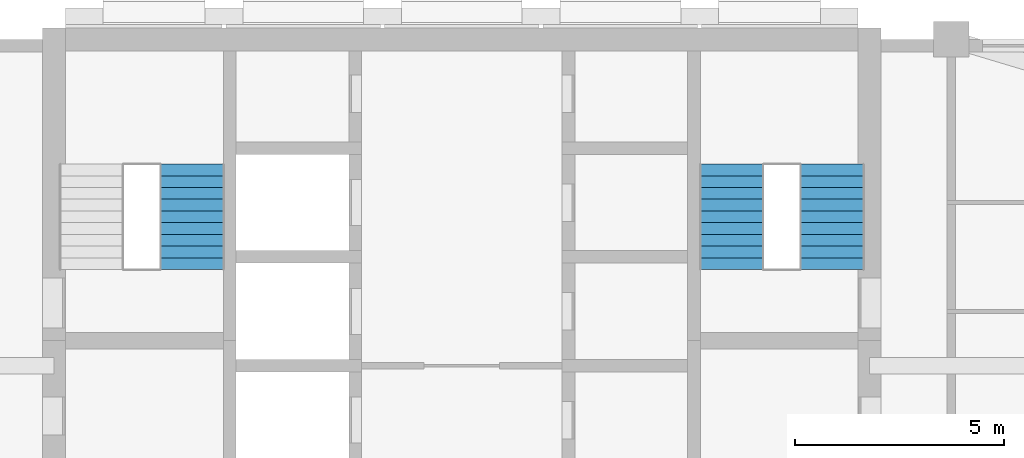
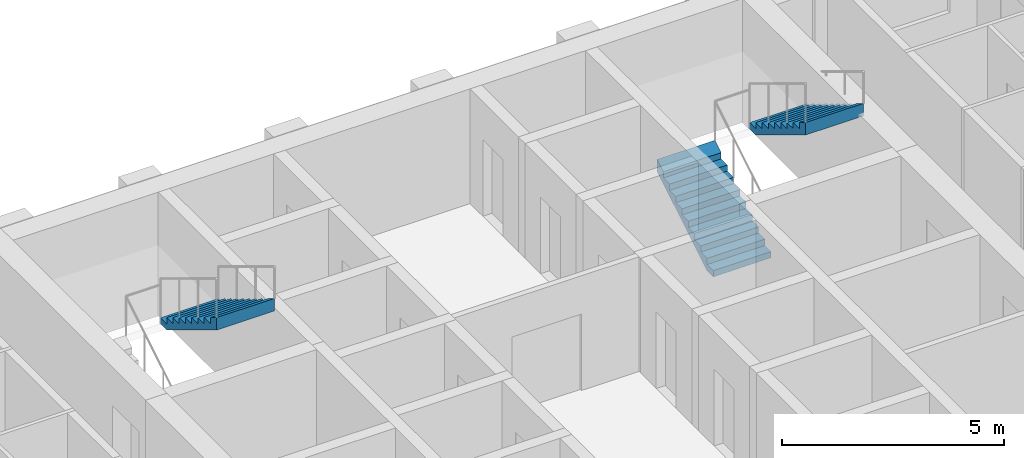
# One storey, part 11 of 13: 3 stair flights, 2 elements without a shape of their own.
"""IFC4 building model written with IfcOpenShell, lengths in metres."""

from ifc_helpers import new_model, si_unit, direction, frame, origin, place, context, subcontext, project, spatial, triangles, material, type_object, element, aggregate, save


model = new_model("IFC4")

# Units and contexts
model_context = context("Model", 3, precision=1e-05, world=origin(), true_north=direction((0.0, 1.0)))
body_context = subcontext(model_context, "Body", "Model", "MODEL_VIEW")
ifc_project = project(units=[si_unit("LENGTHUNIT", "METRE"), si_unit("AREAUNIT", "SQUARE_METRE"), si_unit("VOLUMEUNIT", "CUBIC_METRE"), si_unit("PLANEANGLEUNIT", "RADIAN"), si_unit("MASSUNIT", "GRAM", prefix="KILO")], contexts=[model_context])

# Site, building, storey
site_placement = place(None, origin())
site = spatial("IfcSite", under=ifc_project, at=site_placement, CompositionType="ELEMENT")
building_placement = place(site_placement, origin())
building = spatial("IfcBuilding", under=site, at=building_placement, Name="Ludao Terraces", CompositionType="ELEMENT")
storey_placement = place(building_placement, frame((0.0, 0.0, 127.10009765625)))
storey = spatial("IfcBuildingStorey", under=building, at=storey_placement, Name="L34", CompositionType="ELEMENT", Elevation=127.10009765625)

# Stair, stair flight
ifc_material = material(Name="Concrete C40", Category="concrete")
stair_type = type_object("IfcStairType", Name="INT Stair", PredefinedType="HALF_TURN_STAIR", material=ifc_material)
stair_1_placement = place(storey_placement, origin())
stair_1 = element("IfcStair", 1, at=stair_1_placement, inside=storey, type_object=stair_type, Name="EXIT STAIR 1", PredefinedType="HALF_TURN_STAIR")
stair_flight_type = type_object("IfcStairFlightType", Name="INT Stair flight", PredefinedType="STRAIGHT", material=ifc_material)
stair_flight_1_placement = place(storey_placement, frame((78.550048828125, 81.52001953125, 1.699951171875), z_axis=(0.0, 0.0, 1.0), x_axis=(0.0, -1.0, 0.0)))
stair_flight_1 = element("IfcStairFlight", 2, at=stair_flight_1_placement, type_object=stair_flight_type, Name="ST1 flight 2", NumberOfRisers=10, NumberOfTreads=9, PredefinedType="STRAIGHT", RiserHeight=0.17, TreadLength=0.28, context=body_context, shape_type="Tessellation", body=[
    triangles([(0.0, -0.75, 0.0), (0.0, -0.5, 0.0), (0.0, -0.25, 0.0), (0.0, 0.0, 0.0), (0.0, 0.25, 0.0), (0.0, 0.5, 0.0), (0.0, 0.75, 0.0), (0.0, -0.75, 0.169921875), (0.0, -0.5, 0.169921875), (0.0, -0.25, 0.169921875), (0.0, 0.0, 0.169921875), (0.0, 0.25, 0.169921875), (0.0, 0.5, 0.169921875), (0.0, 0.75, 0.169921875), (0.280029296875, -0.75, 0.169921875), (0.280029296875, -0.5, 0.169921875), (0.280029296875, -0.25, 0.169921875), (0.280029296875, 0.0, 0.169921875), (0.280029296875, 0.25, 0.169921875), (0.280029296875, 0.5, 0.169921875), (0.280029296875, 0.75, 0.169921875), (0.280029296875, -0.75, 0.340087890625), (0.280029296875, -0.5, 0.340087890625), (0.280029296875, -0.25, 0.340087890625), (0.280029296875, 0.0, 0.340087890625), (0.280029296875, 0.25, 0.340087890625), (0.280029296875, 0.5, 0.340087890625), (0.280029296875, 0.75, 0.340087890625), (0.56005859375, -0.75, 0.340087890625), (0.56005859375, -0.5, 0.340087890625), (0.56005859375, -0.25, 0.340087890625), (0.56005859375, 0.0, 0.340087890625), (0.56005859375, 0.25, 0.340087890625), (0.56005859375, 0.5, 0.340087890625), (0.56005859375, 0.75, 0.340087890625), (0.56005859375, -0.75, 0.510009765625), (0.56005859375, -0.5, 0.510009765625), (0.56005859375, -0.25, 0.510009765625), (0.56005859375, 0.0, 0.510009765625), (0.56005859375, 0.25, 0.510009765625), (0.56005859375, 0.5, 0.510009765625), (0.56005859375, 0.75, 0.510009765625), (0.840087890625, -0.75, 0.510009765625), (0.840087890625, -0.5, 0.510009765625), (0.840087890625, -0.25, 0.510009765625), (0.840087890625, 0.0, 0.510009765625), (0.840087890625, 0.25, 0.510009765625), (0.840087890625, 0.5, 0.510009765625), (0.840087890625, 0.75, 0.510009765625), (0.840087890625, -0.75, 0.679931640625), (0.840087890625, -0.5, 0.679931640625), (0.840087890625, -0.25, 0.679931640625), (0.840087890625, 0.0, 0.679931640625), (0.840087890625, 0.25, 0.679931640625), (0.840087890625, 0.5, 0.679931640625), (0.840087890625, 0.75, 0.679931640625), (1.1201171875, -0.75, 0.679931640625), (1.1201171875, -0.5, 0.679931640625), (1.1201171875, -0.25, 0.679931640625), (1.1201171875, 0.0, 0.679931640625), (1.1201171875, 0.25, 0.679931640625), (1.1201171875, 0.5, 0.679931640625), (1.1201171875, 0.75, 0.679931640625), (1.1201171875, -0.75, 0.85009765625), (1.1201171875, -0.5, 0.85009765625), (1.1201171875, -0.25, 0.85009765625), (1.1201171875, 0.0, 0.85009765625), (1.1201171875, 0.25, 0.85009765625), (1.1201171875, 0.5, 0.85009765625), (1.1201171875, 0.75, 0.85009765625), (1.39990234375, -0.75, 0.85009765625), (1.39990234375, -0.5, 0.85009765625), (1.39990234375, -0.25, 0.85009765625), (1.39990234375, 0.0, 0.85009765625), (1.39990234375, 0.25, 0.85009765625), (1.39990234375, 0.5, 0.85009765625), (1.39990234375, 0.75, 0.85009765625), (1.39990234375, -0.75, 1.02001953125), (1.39990234375, -0.5, 1.02001953125), (1.39990234375, -0.25, 1.02001953125), (1.39990234375, 0.0, 1.02001953125), (1.39990234375, 0.25, 1.02001953125), (1.39990234375, 0.5, 1.02001953125), (1.39990234375, 0.75, 1.02001953125), (1.679931640625, -0.75, 1.02001953125), (1.679931640625, -0.5, 1.02001953125), (1.679931640625, -0.25, 1.02001953125), (1.679931640625, 0.0, 1.02001953125), (1.679931640625, 0.25, 1.02001953125), (1.679931640625, 0.5, 1.02001953125), (1.679931640625, 0.75, 1.02001953125), (1.679931640625, -0.75, 1.18994140625), (1.679931640625, -0.5, 1.18994140625), (1.679931640625, -0.25, 1.18994140625), (1.679931640625, 0.0, 1.18994140625), (1.679931640625, 0.25, 1.18994140625), (1.679931640625, 0.5, 1.18994140625), (1.679931640625, 0.75, 1.18994140625), (1.9599609375, -0.75, 1.18994140625), (1.9599609375, -0.5, 1.18994140625), (1.9599609375, -0.25, 1.18994140625), (1.9599609375, 0.0, 1.18994140625), (1.9599609375, 0.25, 1.18994140625), (1.9599609375, 0.5, 1.18994140625), (1.9599609375, 0.75, 1.18994140625), (1.9599609375, -0.75, 1.360107421875), (1.9599609375, -0.5, 1.360107421875), (1.9599609375, -0.25, 1.360107421875), (1.9599609375, 0.0, 1.360107421875), (1.9599609375, 0.25, 1.360107421875), (1.9599609375, 0.5, 1.360107421875), (1.9599609375, 0.75, 1.360107421875), (2.239990234375, -0.75, 1.360107421875), (2.239990234375, -0.5, 1.360107421875), (2.239990234375, -0.25, 1.360107421875), (2.239990234375, 0.0, 1.360107421875), (2.239990234375, 0.25, 1.360107421875), (2.239990234375, 0.5, 1.360107421875), (2.239990234375, 0.75, 1.360107421875), (2.239990234375, -0.75, 1.530029296875), (2.239990234375, -0.5, 1.530029296875), (2.239990234375, -0.25, 1.530029296875), (2.239990234375, 0.0, 1.530029296875), (2.239990234375, 0.25, 1.530029296875), (2.239990234375, 0.5, 1.530029296875), (2.239990234375, 0.75, 1.530029296875), (2.52001953125, -0.75, 1.699951171875), (2.52001953125, -0.5, 1.699951171875), (2.52001953125, -0.25, 1.699951171875), (2.52001953125, 0.0, 1.699951171875), (2.52001953125, 0.25, 1.699951171875), (2.52001953125, 0.5, 1.699951171875), (2.52001953125, 0.75, 1.699951171875), (2.52001953125, -0.75, 1.354736328125), (2.52001953125, -0.5, 1.354736328125), (2.52001953125, -0.25, 1.354736328125), (2.52001953125, 0.0, 1.354736328125), (2.52001953125, 0.25, 1.354736328125), (2.52001953125, 0.5, 1.354736328125), (2.52001953125, 0.75, 1.354736328125), (0.288818359375, -0.75, 0.0), (0.288818359375, -0.5, 0.0), (0.288818359375, -0.25, 0.0), (0.288818359375, 0.0, 0.0), (0.288818359375, 0.25, 0.0), (0.288818359375, 0.5, 0.0), (0.288818359375, 0.75, 0.0)], [[1, 141, 134], [7, 140, 147], [134, 127, 120], [140, 126, 133], [134, 120, 113], [140, 119, 126], [134, 113, 106], [140, 112, 119], [134, 106, 99], [140, 105, 112], [99, 92, 85], [105, 91, 98], [134, 99, 85], [140, 91, 105], [85, 78, 71], [91, 77, 84], [134, 85, 71], [140, 77, 91], [71, 64, 57], [77, 63, 70], [134, 71, 57], [140, 63, 77], [57, 50, 43], [63, 49, 56], [134, 57, 43], [140, 49, 63], [43, 36, 29], [49, 35, 42], [134, 43, 29], [140, 35, 49], [29, 22, 15], [35, 21, 28], [134, 29, 15], [140, 21, 35], [1, 134, 15], [7, 21, 140], [15, 8, 1], [21, 7, 14], [1, 9, 2], [1, 8, 9], [2, 10, 3], [2, 9, 10], [3, 11, 4], [3, 10, 11], [4, 12, 5], [4, 11, 12], [5, 13, 6], [5, 12, 13], [6, 14, 7], [6, 13, 14], [8, 16, 9], [8, 15, 16], [9, 17, 10], [9, 16, 17], [10, 18, 11], [10, 17, 18], [11, 19, 12], [11, 18, 19], [12, 20, 13], [12, 19, 20], [13, 21, 14], [13, 20, 21], [15, 23, 16], [15, 22, 23], [16, 24, 17], [16, 23, 24], [17, 25, 18], [17, 24, 25], [18, 26, 19], [18, 25, 26], [19, 27, 20], [19, 26, 27], [20, 28, 21], [20, 27, 28], [22, 30, 23], [22, 29, 30], [23, 31, 24], [23, 30, 31], [24, 32, 25], [24, 31, 32], [25, 33, 26], [25, 32, 33], [26, 34, 27], [26, 33, 34], [27, 35, 28], [27, 34, 35], [29, 37, 30], [29, 36, 37], [30, 38, 31], [30, 37, 38], [31, 39, 32], [31, 38, 39], [32, 40, 33], [32, 39, 40], [33, 41, 34], [33, 40, 41], [34, 42, 35], [34, 41, 42], [36, 44, 37], [36, 43, 44], [37, 45, 38], [37, 44, 45], [38, 46, 39], [38, 45, 46], [39, 47, 40], [39, 46, 47], [40, 48, 41], [40, 47, 48], [41, 49, 42], [41, 48, 49], [43, 51, 44], [43, 50, 51], [44, 52, 45], [44, 51, 52], [45, 53, 46], [45, 52, 53], [46, 54, 47], [46, 53, 54], [47, 55, 48], [47, 54, 55], [48, 56, 49], [48, 55, 56], [50, 58, 51], [50, 57, 58], [51, 59, 52], [51, 58, 59], [52, 60, 53], [52, 59, 60], [53, 61, 54], [53, 60, 61], [54, 62, 55], [54, 61, 62], [55, 63, 56], [55, 62, 63], [57, 65, 58], [57, 64, 65], [58, 66, 59], [58, 65, 66], [59, 67, 60], [59, 66, 67], [60, 68, 61], [60, 67, 68], [61, 69, 62], [61, 68, 69], [62, 70, 63], [62, 69, 70], [64, 72, 65], [64, 71, 72], [65, 73, 66], [65, 72, 73], [66, 74, 67], [66, 73, 74], [67, 75, 68], [67, 74, 75], [68, 76, 69], [68, 75, 76], [69, 77, 70], [69, 76, 77], [71, 79, 72], [71, 78, 79], [72, 80, 73], [72, 79, 80], [73, 81, 74], [73, 80, 81], [74, 82, 75], [74, 81, 82], [75, 83, 76], [75, 82, 83], [76, 84, 77], [76, 83, 84], [78, 86, 79], [78, 85, 86], [79, 87, 80], [79, 86, 87], [80, 88, 81], [80, 87, 88], [81, 89, 82], [81, 88, 89], [82, 90, 83], [82, 89, 90], [83, 91, 84], [83, 90, 91], [85, 93, 86], [85, 92, 93], [86, 94, 87], [86, 93, 94], [87, 95, 88], [87, 94, 95], [88, 96, 89], [88, 95, 96], [89, 97, 90], [89, 96, 97], [90, 98, 91], [90, 97, 98], [92, 100, 93], [92, 99, 100], [93, 101, 94], [93, 100, 101], [94, 102, 95], [94, 101, 102], [95, 103, 96], [95, 102, 103], [96, 104, 97], [96, 103, 104], [97, 105, 98], [97, 104, 105], [99, 107, 100], [99, 106, 107], [100, 108, 101], [100, 107, 108], [101, 109, 102], [101, 108, 109], [102, 110, 103], [102, 109, 110], [103, 111, 104], [103, 110, 111], [104, 112, 105], [104, 111, 112], [106, 114, 107], [106, 113, 114], [107, 115, 108], [107, 114, 115], [108, 116, 109], [108, 115, 116], [109, 117, 110], [109, 116, 117], [110, 118, 111], [110, 117, 118], [111, 119, 112], [111, 118, 119], [113, 121, 114], [113, 120, 121], [114, 122, 115], [114, 121, 122], [115, 123, 116], [115, 122, 123], [116, 124, 117], [116, 123, 124], [117, 125, 118], [117, 124, 125], [118, 126, 119], [118, 125, 126], [120, 128, 121], [120, 127, 128], [121, 129, 122], [121, 128, 129], [122, 130, 123], [122, 129, 130], [123, 131, 124], [123, 130, 131], [124, 132, 125], [124, 131, 132], [125, 133, 126], [125, 132, 133], [127, 135, 128], [127, 134, 135], [128, 136, 129], [128, 135, 136], [129, 137, 130], [129, 136, 137], [130, 138, 131], [130, 137, 138], [131, 139, 132], [131, 138, 139], [132, 140, 133], [132, 139, 140], [134, 142, 135], [134, 141, 142], [135, 143, 136], [135, 142, 143], [136, 144, 137], [136, 143, 144], [137, 145, 138], [137, 144, 145], [138, 146, 139], [138, 145, 146], [139, 147, 140], [139, 146, 147], [141, 2, 142], [141, 1, 2], [142, 3, 143], [142, 2, 3], [143, 4, 144], [143, 3, 4], [144, 5, 145], [144, 4, 5], [145, 6, 146], [145, 5, 6], [146, 7, 147], [146, 6, 7]], closed=True),
])
aggregate(stair_1, [stair_flight_1])

# Stair, stair flights
stair_2_placement = place(storey_placement, origin())
stair_2 = element("IfcStair", 3, at=stair_2_placement, inside=storey, type_object=stair_type, Name="EXIT STAIR 2", PredefinedType="HALF_TURN_STAIR")
stair_flight_2_placement = place(storey_placement, frame((91.449951171875, 79.0, 0.0), z_axis=(0.0, 0.0, 1.0), x_axis=(0.0, 1.0, 0.0)))
stair_flight_2 = element("IfcStairFlight", 4, at=stair_flight_2_placement, type_object=stair_flight_type, Name="ST2 flight 1", NumberOfRisers=10, NumberOfTreads=9, PredefinedType="STRAIGHT", RiserHeight=0.17, TreadLength=0.28, context=body_context, shape_type="Tessellation", body=[
    triangles([(0.0, -0.75, 0.0), (0.0, -0.5, 0.0), (0.0, -0.25, 0.0), (0.0, 0.0, 0.0), (0.0, 0.25, 0.0), (0.0, 0.5, 0.0), (0.0, 0.75, 0.0), (0.0, -0.75, 0.169921875), (0.0, -0.5, 0.169921875), (0.0, -0.25, 0.169921875), (0.0, 0.0, 0.169921875), (0.0, 0.25, 0.169921875), (0.0, 0.5, 0.169921875), (0.0, 0.75, 0.169921875), (0.280029296875, -0.75, 0.169921875), (0.280029296875, -0.5, 0.169921875), (0.280029296875, -0.25, 0.169921875), (0.280029296875, 0.0, 0.169921875), (0.280029296875, 0.25, 0.169921875), (0.280029296875, 0.5, 0.169921875), (0.280029296875, 0.75, 0.169921875), (0.280029296875, -0.75, 0.340087890625), (0.280029296875, -0.5, 0.340087890625), (0.280029296875, -0.25, 0.340087890625), (0.280029296875, 0.0, 0.340087890625), (0.280029296875, 0.25, 0.340087890625), (0.280029296875, 0.5, 0.340087890625), (0.280029296875, 0.75, 0.340087890625), (0.56005859375, -0.75, 0.340087890625), (0.56005859375, -0.5, 0.340087890625), (0.56005859375, -0.25, 0.340087890625), (0.56005859375, 0.0, 0.340087890625), (0.56005859375, 0.25, 0.340087890625), (0.56005859375, 0.5, 0.340087890625), (0.56005859375, 0.75, 0.340087890625), (0.56005859375, -0.75, 0.510009765625), (0.56005859375, -0.5, 0.510009765625), (0.56005859375, -0.25, 0.510009765625), (0.56005859375, 0.0, 0.510009765625), (0.56005859375, 0.25, 0.510009765625), (0.56005859375, 0.5, 0.510009765625), (0.56005859375, 0.75, 0.510009765625), (0.840087890625, -0.75, 0.510009765625), (0.840087890625, -0.5, 0.510009765625), (0.840087890625, -0.25, 0.510009765625), (0.840087890625, 0.0, 0.510009765625), (0.840087890625, 0.25, 0.510009765625), (0.840087890625, 0.5, 0.510009765625), (0.840087890625, 0.75, 0.510009765625), (0.840087890625, -0.75, 0.679931640625), (0.840087890625, -0.5, 0.679931640625), (0.840087890625, -0.25, 0.679931640625), (0.840087890625, 0.0, 0.679931640625), (0.840087890625, 0.25, 0.679931640625), (0.840087890625, 0.5, 0.679931640625), (0.840087890625, 0.75, 0.679931640625), (1.1201171875, -0.75, 0.679931640625), (1.1201171875, -0.5, 0.679931640625), (1.1201171875, -0.25, 0.679931640625), (1.1201171875, 0.0, 0.679931640625), (1.1201171875, 0.25, 0.679931640625), (1.1201171875, 0.5, 0.679931640625), (1.1201171875, 0.75, 0.679931640625), (1.1201171875, -0.75, 0.85009765625), (1.1201171875, -0.5, 0.85009765625), (1.1201171875, -0.25, 0.85009765625), (1.1201171875, 0.0, 0.85009765625), (1.1201171875, 0.25, 0.85009765625), (1.1201171875, 0.5, 0.85009765625), (1.1201171875, 0.75, 0.85009765625), (1.39990234375, -0.75, 0.85009765625), (1.39990234375, -0.5, 0.85009765625), (1.39990234375, -0.25, 0.85009765625), (1.39990234375, 0.0, 0.85009765625), (1.39990234375, 0.25, 0.85009765625), (1.39990234375, 0.5, 0.85009765625), (1.39990234375, 0.75, 0.85009765625), (1.39990234375, -0.75, 1.02001953125), (1.39990234375, -0.5, 1.02001953125), (1.39990234375, -0.25, 1.02001953125), (1.39990234375, 0.0, 1.02001953125), (1.39990234375, 0.25, 1.02001953125), (1.39990234375, 0.5, 1.02001953125), (1.39990234375, 0.75, 1.02001953125), (1.679931640625, -0.75, 1.02001953125), (1.679931640625, -0.5, 1.02001953125), (1.679931640625, -0.25, 1.02001953125), (1.679931640625, 0.0, 1.02001953125), (1.679931640625, 0.25, 1.02001953125), (1.679931640625, 0.5, 1.02001953125), (1.679931640625, 0.75, 1.02001953125), (1.679931640625, -0.75, 1.18994140625), (1.679931640625, -0.5, 1.18994140625), (1.679931640625, -0.25, 1.18994140625), (1.679931640625, 0.0, 1.18994140625), (1.679931640625, 0.25, 1.18994140625), (1.679931640625, 0.5, 1.18994140625), (1.679931640625, 0.75, 1.18994140625), (1.9599609375, -0.75, 1.18994140625), (1.9599609375, -0.5, 1.18994140625), (1.9599609375, -0.25, 1.18994140625), (1.9599609375, 0.0, 1.18994140625), (1.9599609375, 0.25, 1.18994140625), (1.9599609375, 0.5, 1.18994140625), (1.9599609375, 0.75, 1.18994140625), (1.9599609375, -0.75, 1.360107421875), (1.9599609375, -0.5, 1.360107421875), (1.9599609375, -0.25, 1.360107421875), (1.9599609375, 0.0, 1.360107421875), (1.9599609375, 0.25, 1.360107421875), (1.9599609375, 0.5, 1.360107421875), (1.9599609375, 0.75, 1.360107421875), (2.239990234375, -0.75, 1.360107421875), (2.239990234375, -0.5, 1.360107421875), (2.239990234375, -0.25, 1.360107421875), (2.239990234375, 0.0, 1.360107421875), (2.239990234375, 0.25, 1.360107421875), (2.239990234375, 0.5, 1.360107421875), (2.239990234375, 0.75, 1.360107421875), (2.239990234375, -0.75, 1.530029296875), (2.239990234375, -0.5, 1.530029296875), (2.239990234375, -0.25, 1.530029296875), (2.239990234375, 0.0, 1.530029296875), (2.239990234375, 0.25, 1.530029296875), (2.239990234375, 0.5, 1.530029296875), (2.239990234375, 0.75, 1.530029296875), (2.52001953125, -0.75, 1.699951171875), (2.52001953125, -0.5, 1.699951171875), (2.52001953125, -0.25, 1.699951171875), (2.52001953125, 0.0, 1.699951171875), (2.52001953125, 0.25, 1.699951171875), (2.52001953125, 0.5, 1.699951171875), (2.52001953125, 0.75, 1.699951171875), (2.52001953125, -0.75, 1.354736328125), (2.52001953125, -0.5, 1.354736328125), (2.52001953125, -0.25, 1.354736328125), (2.52001953125, 0.0, 1.354736328125), (2.52001953125, 0.25, 1.354736328125), (2.52001953125, 0.5, 1.354736328125), (2.52001953125, 0.75, 1.354736328125), (0.288818359375, -0.75, 0.0), (0.288818359375, -0.5, 0.0), (0.288818359375, -0.25, 0.0), (0.288818359375, 0.0, 0.0), (0.288818359375, 0.25, 0.0), (0.288818359375, 0.5, 0.0), (0.288818359375, 0.75, 0.0)], [[1, 141, 134], [7, 140, 147], [134, 127, 120], [140, 126, 133], [134, 120, 113], [140, 119, 126], [134, 113, 106], [140, 112, 119], [134, 106, 99], [140, 105, 112], [99, 92, 85], [105, 91, 98], [134, 99, 85], [140, 91, 105], [85, 78, 71], [91, 77, 84], [134, 85, 71], [140, 77, 91], [71, 64, 57], [77, 63, 70], [134, 71, 57], [140, 63, 77], [57, 50, 43], [63, 49, 56], [134, 57, 43], [140, 49, 63], [43, 36, 29], [49, 35, 42], [134, 43, 29], [140, 35, 49], [29, 22, 15], [35, 21, 28], [134, 29, 15], [140, 21, 35], [1, 134, 15], [7, 21, 140], [15, 8, 1], [21, 7, 14], [1, 9, 2], [1, 8, 9], [2, 10, 3], [2, 9, 10], [3, 11, 4], [3, 10, 11], [4, 12, 5], [4, 11, 12], [5, 13, 6], [5, 12, 13], [6, 14, 7], [6, 13, 14], [8, 16, 9], [8, 15, 16], [9, 17, 10], [9, 16, 17], [10, 18, 11], [10, 17, 18], [11, 19, 12], [11, 18, 19], [12, 20, 13], [12, 19, 20], [13, 21, 14], [13, 20, 21], [15, 23, 16], [15, 22, 23], [16, 24, 17], [16, 23, 24], [17, 25, 18], [17, 24, 25], [18, 26, 19], [18, 25, 26], [19, 27, 20], [19, 26, 27], [20, 28, 21], [20, 27, 28], [22, 30, 23], [22, 29, 30], [23, 31, 24], [23, 30, 31], [24, 32, 25], [24, 31, 32], [25, 33, 26], [25, 32, 33], [26, 34, 27], [26, 33, 34], [27, 35, 28], [27, 34, 35], [29, 37, 30], [29, 36, 37], [30, 38, 31], [30, 37, 38], [31, 39, 32], [31, 38, 39], [32, 40, 33], [32, 39, 40], [33, 41, 34], [33, 40, 41], [34, 42, 35], [34, 41, 42], [36, 44, 37], [36, 43, 44], [37, 45, 38], [37, 44, 45], [38, 46, 39], [38, 45, 46], [39, 47, 40], [39, 46, 47], [40, 48, 41], [40, 47, 48], [41, 49, 42], [41, 48, 49], [43, 51, 44], [43, 50, 51], [44, 52, 45], [44, 51, 52], [45, 53, 46], [45, 52, 53], [46, 54, 47], [46, 53, 54], [47, 55, 48], [47, 54, 55], [48, 56, 49], [48, 55, 56], [50, 58, 51], [50, 57, 58], [51, 59, 52], [51, 58, 59], [52, 60, 53], [52, 59, 60], [53, 61, 54], [53, 60, 61], [54, 62, 55], [54, 61, 62], [55, 63, 56], [55, 62, 63], [57, 65, 58], [57, 64, 65], [58, 66, 59], [58, 65, 66], [59, 67, 60], [59, 66, 67], [60, 68, 61], [60, 67, 68], [61, 69, 62], [61, 68, 69], [62, 70, 63], [62, 69, 70], [64, 72, 65], [64, 71, 72], [65, 73, 66], [65, 72, 73], [66, 74, 67], [66, 73, 74], [67, 75, 68], [67, 74, 75], [68, 76, 69], [68, 75, 76], [69, 77, 70], [69, 76, 77], [71, 79, 72], [71, 78, 79], [72, 80, 73], [72, 79, 80], [73, 81, 74], [73, 80, 81], [74, 82, 75], [74, 81, 82], [75, 83, 76], [75, 82, 83], [76, 84, 77], [76, 83, 84], [78, 86, 79], [78, 85, 86], [79, 87, 80], [79, 86, 87], [80, 88, 81], [80, 87, 88], [81, 89, 82], [81, 88, 89], [82, 90, 83], [82, 89, 90], [83, 91, 84], [83, 90, 91], [85, 93, 86], [85, 92, 93], [86, 94, 87], [86, 93, 94], [87, 95, 88], [87, 94, 95], [88, 96, 89], [88, 95, 96], [89, 97, 90], [89, 96, 97], [90, 98, 91], [90, 97, 98], [92, 100, 93], [92, 99, 100], [93, 101, 94], [93, 100, 101], [94, 102, 95], [94, 101, 102], [95, 103, 96], [95, 102, 103], [96, 104, 97], [96, 103, 104], [97, 105, 98], [97, 104, 105], [99, 107, 100], [99, 106, 107], [100, 108, 101], [100, 107, 108], [101, 109, 102], [101, 108, 109], [102, 110, 103], [102, 109, 110], [103, 111, 104], [103, 110, 111], [104, 112, 105], [104, 111, 112], [106, 114, 107], [106, 113, 114], [107, 115, 108], [107, 114, 115], [108, 116, 109], [108, 115, 116], [109, 117, 110], [109, 116, 117], [110, 118, 111], [110, 117, 118], [111, 119, 112], [111, 118, 119], [113, 121, 114], [113, 120, 121], [114, 122, 115], [114, 121, 122], [115, 123, 116], [115, 122, 123], [116, 124, 117], [116, 123, 124], [117, 125, 118], [117, 124, 125], [118, 126, 119], [118, 125, 126], [120, 128, 121], [120, 127, 128], [121, 129, 122], [121, 128, 129], [122, 130, 123], [122, 129, 130], [123, 131, 124], [123, 130, 131], [124, 132, 125], [124, 131, 132], [125, 133, 126], [125, 132, 133], [127, 135, 128], [127, 134, 135], [128, 136, 129], [128, 135, 136], [129, 137, 130], [129, 136, 137], [130, 138, 131], [130, 137, 138], [131, 139, 132], [131, 138, 139], [132, 140, 133], [132, 139, 140], [134, 142, 135], [134, 141, 142], [135, 143, 136], [135, 142, 143], [136, 144, 137], [136, 143, 144], [137, 145, 138], [137, 144, 145], [138, 146, 139], [138, 145, 146], [139, 147, 140], [139, 146, 147], [141, 2, 142], [141, 1, 2], [142, 3, 143], [142, 2, 3], [143, 4, 144], [143, 3, 4], [144, 5, 145], [144, 4, 5], [145, 6, 146], [145, 5, 6], [146, 7, 147], [146, 6, 7]], closed=True),
])
stair_flight_3_placement = place(storey_placement, frame((93.85009765625, 81.52001953125, 1.699951171875), z_axis=(0.0, 0.0, 1.0), x_axis=(0.0, -1.0, 0.0)))
stair_flight_3 = element("IfcStairFlight", 5, at=stair_flight_3_placement, type_object=stair_flight_type, Name="ST2 flight 2", NumberOfRisers=10, NumberOfTreads=9, PredefinedType="STRAIGHT", RiserHeight=0.17, TreadLength=0.28, context=body_context, shape_type="Tessellation", body=[
    triangles([(0.0, -0.75, 0.0), (0.0, -0.5, 0.0), (0.0, -0.25, 0.0), (0.0, 0.0, 0.0), (0.0, 0.25, 0.0), (0.0, 0.5, 0.0), (0.0, 0.75, 0.0), (0.0, -0.75, 0.169921875), (0.0, -0.5, 0.169921875), (0.0, -0.25, 0.169921875), (0.0, 0.0, 0.169921875), (0.0, 0.25, 0.169921875), (0.0, 0.5, 0.169921875), (0.0, 0.75, 0.169921875), (0.280029296875, -0.75, 0.169921875), (0.280029296875, -0.5, 0.169921875), (0.280029296875, -0.25, 0.169921875), (0.280029296875, 0.0, 0.169921875), (0.280029296875, 0.25, 0.169921875), (0.280029296875, 0.5, 0.169921875), (0.280029296875, 0.75, 0.169921875), (0.280029296875, -0.75, 0.340087890625), (0.280029296875, -0.5, 0.340087890625), (0.280029296875, -0.25, 0.340087890625), (0.280029296875, 0.0, 0.340087890625), (0.280029296875, 0.25, 0.340087890625), (0.280029296875, 0.5, 0.340087890625), (0.280029296875, 0.75, 0.340087890625), (0.56005859375, -0.75, 0.340087890625), (0.56005859375, -0.5, 0.340087890625), (0.56005859375, -0.25, 0.340087890625), (0.56005859375, 0.0, 0.340087890625), (0.56005859375, 0.25, 0.340087890625), (0.56005859375, 0.5, 0.340087890625), (0.56005859375, 0.75, 0.340087890625), (0.56005859375, -0.75, 0.510009765625), (0.56005859375, -0.5, 0.510009765625), (0.56005859375, -0.25, 0.510009765625), (0.56005859375, 0.0, 0.510009765625), (0.56005859375, 0.25, 0.510009765625), (0.56005859375, 0.5, 0.510009765625), (0.56005859375, 0.75, 0.510009765625), (0.840087890625, -0.75, 0.510009765625), (0.840087890625, -0.5, 0.510009765625), (0.840087890625, -0.25, 0.510009765625), (0.840087890625, 0.0, 0.510009765625), (0.840087890625, 0.25, 0.510009765625), (0.840087890625, 0.5, 0.510009765625), (0.840087890625, 0.75, 0.510009765625), (0.840087890625, -0.75, 0.679931640625), (0.840087890625, -0.5, 0.679931640625), (0.840087890625, -0.25, 0.679931640625), (0.840087890625, 0.0, 0.679931640625), (0.840087890625, 0.25, 0.679931640625), (0.840087890625, 0.5, 0.679931640625), (0.840087890625, 0.75, 0.679931640625), (1.1201171875, -0.75, 0.679931640625), (1.1201171875, -0.5, 0.679931640625), (1.1201171875, -0.25, 0.679931640625), (1.1201171875, 0.0, 0.679931640625), (1.1201171875, 0.25, 0.679931640625), (1.1201171875, 0.5, 0.679931640625), (1.1201171875, 0.75, 0.679931640625), (1.1201171875, -0.75, 0.85009765625), (1.1201171875, -0.5, 0.85009765625), (1.1201171875, -0.25, 0.85009765625), (1.1201171875, 0.0, 0.85009765625), (1.1201171875, 0.25, 0.85009765625), (1.1201171875, 0.5, 0.85009765625), (1.1201171875, 0.75, 0.85009765625), (1.39990234375, -0.75, 0.85009765625), (1.39990234375, -0.5, 0.85009765625), (1.39990234375, -0.25, 0.85009765625), (1.39990234375, 0.0, 0.85009765625), (1.39990234375, 0.25, 0.85009765625), (1.39990234375, 0.5, 0.85009765625), (1.39990234375, 0.75, 0.85009765625), (1.39990234375, -0.75, 1.02001953125), (1.39990234375, -0.5, 1.02001953125), (1.39990234375, -0.25, 1.02001953125), (1.39990234375, 0.0, 1.02001953125), (1.39990234375, 0.25, 1.02001953125), (1.39990234375, 0.5, 1.02001953125), (1.39990234375, 0.75, 1.02001953125), (1.679931640625, -0.75, 1.02001953125), (1.679931640625, -0.5, 1.02001953125), (1.679931640625, -0.25, 1.02001953125), (1.679931640625, 0.0, 1.02001953125), (1.679931640625, 0.25, 1.02001953125), (1.679931640625, 0.5, 1.02001953125), (1.679931640625, 0.75, 1.02001953125), (1.679931640625, -0.75, 1.18994140625), (1.679931640625, -0.5, 1.18994140625), (1.679931640625, -0.25, 1.18994140625), (1.679931640625, 0.0, 1.18994140625), (1.679931640625, 0.25, 1.18994140625), (1.679931640625, 0.5, 1.18994140625), (1.679931640625, 0.75, 1.18994140625), (1.9599609375, -0.75, 1.18994140625), (1.9599609375, -0.5, 1.18994140625), (1.9599609375, -0.25, 1.18994140625), (1.9599609375, 0.0, 1.18994140625), (1.9599609375, 0.25, 1.18994140625), (1.9599609375, 0.5, 1.18994140625), (1.9599609375, 0.75, 1.18994140625), (1.9599609375, -0.75, 1.360107421875), (1.9599609375, -0.5, 1.360107421875), (1.9599609375, -0.25, 1.360107421875), (1.9599609375, 0.0, 1.360107421875), (1.9599609375, 0.25, 1.360107421875), (1.9599609375, 0.5, 1.360107421875), (1.9599609375, 0.75, 1.360107421875), (2.239990234375, -0.75, 1.360107421875), (2.239990234375, -0.5, 1.360107421875), (2.239990234375, -0.25, 1.360107421875), (2.239990234375, 0.0, 1.360107421875), (2.239990234375, 0.25, 1.360107421875), (2.239990234375, 0.5, 1.360107421875), (2.239990234375, 0.75, 1.360107421875), (2.239990234375, -0.75, 1.530029296875), (2.239990234375, -0.5, 1.530029296875), (2.239990234375, -0.25, 1.530029296875), (2.239990234375, 0.0, 1.530029296875), (2.239990234375, 0.25, 1.530029296875), (2.239990234375, 0.5, 1.530029296875), (2.239990234375, 0.75, 1.530029296875), (2.52001953125, -0.75, 1.699951171875), (2.52001953125, -0.5, 1.699951171875), (2.52001953125, -0.25, 1.699951171875), (2.52001953125, 0.0, 1.699951171875), (2.52001953125, 0.25, 1.699951171875), (2.52001953125, 0.5, 1.699951171875), (2.52001953125, 0.75, 1.699951171875), (2.52001953125, -0.75, 1.354736328125), (2.52001953125, -0.5, 1.354736328125), (2.52001953125, -0.25, 1.354736328125), (2.52001953125, 0.0, 1.354736328125), (2.52001953125, 0.25, 1.354736328125), (2.52001953125, 0.5, 1.354736328125), (2.52001953125, 0.75, 1.354736328125), (0.288818359375, -0.75, 0.0), (0.288818359375, -0.5, 0.0), (0.288818359375, -0.25, 0.0), (0.288818359375, 0.0, 0.0), (0.288818359375, 0.25, 0.0), (0.288818359375, 0.5, 0.0), (0.288818359375, 0.75, 0.0)], [[1, 141, 134], [7, 140, 147], [134, 127, 120], [140, 126, 133], [134, 120, 113], [140, 119, 126], [134, 113, 106], [140, 112, 119], [134, 106, 99], [140, 105, 112], [99, 92, 85], [105, 91, 98], [134, 99, 85], [140, 91, 105], [85, 78, 71], [91, 77, 84], [134, 85, 71], [140, 77, 91], [71, 64, 57], [77, 63, 70], [134, 71, 57], [140, 63, 77], [57, 50, 43], [63, 49, 56], [134, 57, 43], [140, 49, 63], [43, 36, 29], [49, 35, 42], [134, 43, 29], [140, 35, 49], [29, 22, 15], [35, 21, 28], [134, 29, 15], [140, 21, 35], [1, 134, 15], [7, 21, 140], [15, 8, 1], [21, 7, 14], [1, 9, 2], [1, 8, 9], [2, 10, 3], [2, 9, 10], [3, 11, 4], [3, 10, 11], [4, 12, 5], [4, 11, 12], [5, 13, 6], [5, 12, 13], [6, 14, 7], [6, 13, 14], [8, 16, 9], [8, 15, 16], [9, 17, 10], [9, 16, 17], [10, 18, 11], [10, 17, 18], [11, 19, 12], [11, 18, 19], [12, 20, 13], [12, 19, 20], [13, 21, 14], [13, 20, 21], [15, 23, 16], [15, 22, 23], [16, 24, 17], [16, 23, 24], [17, 25, 18], [17, 24, 25], [18, 26, 19], [18, 25, 26], [19, 27, 20], [19, 26, 27], [20, 28, 21], [20, 27, 28], [22, 30, 23], [22, 29, 30], [23, 31, 24], [23, 30, 31], [24, 32, 25], [24, 31, 32], [25, 33, 26], [25, 32, 33], [26, 34, 27], [26, 33, 34], [27, 35, 28], [27, 34, 35], [29, 37, 30], [29, 36, 37], [30, 38, 31], [30, 37, 38], [31, 39, 32], [31, 38, 39], [32, 40, 33], [32, 39, 40], [33, 41, 34], [33, 40, 41], [34, 42, 35], [34, 41, 42], [36, 44, 37], [36, 43, 44], [37, 45, 38], [37, 44, 45], [38, 46, 39], [38, 45, 46], [39, 47, 40], [39, 46, 47], [40, 48, 41], [40, 47, 48], [41, 49, 42], [41, 48, 49], [43, 51, 44], [43, 50, 51], [44, 52, 45], [44, 51, 52], [45, 53, 46], [45, 52, 53], [46, 54, 47], [46, 53, 54], [47, 55, 48], [47, 54, 55], [48, 56, 49], [48, 55, 56], [50, 58, 51], [50, 57, 58], [51, 59, 52], [51, 58, 59], [52, 60, 53], [52, 59, 60], [53, 61, 54], [53, 60, 61], [54, 62, 55], [54, 61, 62], [55, 63, 56], [55, 62, 63], [57, 65, 58], [57, 64, 65], [58, 66, 59], [58, 65, 66], [59, 67, 60], [59, 66, 67], [60, 68, 61], [60, 67, 68], [61, 69, 62], [61, 68, 69], [62, 70, 63], [62, 69, 70], [64, 72, 65], [64, 71, 72], [65, 73, 66], [65, 72, 73], [66, 74, 67], [66, 73, 74], [67, 75, 68], [67, 74, 75], [68, 76, 69], [68, 75, 76], [69, 77, 70], [69, 76, 77], [71, 79, 72], [71, 78, 79], [72, 80, 73], [72, 79, 80], [73, 81, 74], [73, 80, 81], [74, 82, 75], [74, 81, 82], [75, 83, 76], [75, 82, 83], [76, 84, 77], [76, 83, 84], [78, 86, 79], [78, 85, 86], [79, 87, 80], [79, 86, 87], [80, 88, 81], [80, 87, 88], [81, 89, 82], [81, 88, 89], [82, 90, 83], [82, 89, 90], [83, 91, 84], [83, 90, 91], [85, 93, 86], [85, 92, 93], [86, 94, 87], [86, 93, 94], [87, 95, 88], [87, 94, 95], [88, 96, 89], [88, 95, 96], [89, 97, 90], [89, 96, 97], [90, 98, 91], [90, 97, 98], [92, 100, 93], [92, 99, 100], [93, 101, 94], [93, 100, 101], [94, 102, 95], [94, 101, 102], [95, 103, 96], [95, 102, 103], [96, 104, 97], [96, 103, 104], [97, 105, 98], [97, 104, 105], [99, 107, 100], [99, 106, 107], [100, 108, 101], [100, 107, 108], [101, 109, 102], [101, 108, 109], [102, 110, 103], [102, 109, 110], [103, 111, 104], [103, 110, 111], [104, 112, 105], [104, 111, 112], [106, 114, 107], [106, 113, 114], [107, 115, 108], [107, 114, 115], [108, 116, 109], [108, 115, 116], [109, 117, 110], [109, 116, 117], [110, 118, 111], [110, 117, 118], [111, 119, 112], [111, 118, 119], [113, 121, 114], [113, 120, 121], [114, 122, 115], [114, 121, 122], [115, 123, 116], [115, 122, 123], [116, 124, 117], [116, 123, 124], [117, 125, 118], [117, 124, 125], [118, 126, 119], [118, 125, 126], [120, 128, 121], [120, 127, 128], [121, 129, 122], [121, 128, 129], [122, 130, 123], [122, 129, 130], [123, 131, 124], [123, 130, 131], [124, 132, 125], [124, 131, 132], [125, 133, 126], [125, 132, 133], [127, 135, 128], [127, 134, 135], [128, 136, 129], [128, 135, 136], [129, 137, 130], [129, 136, 137], [130, 138, 131], [130, 137, 138], [131, 139, 132], [131, 138, 139], [132, 140, 133], [132, 139, 140], [134, 142, 135], [134, 141, 142], [135, 143, 136], [135, 142, 143], [136, 144, 137], [136, 143, 144], [137, 145, 138], [137, 144, 145], [138, 146, 139], [138, 145, 146], [139, 147, 140], [139, 146, 147], [141, 2, 142], [141, 1, 2], [142, 3, 143], [142, 2, 3], [143, 4, 144], [143, 3, 4], [144, 5, 145], [144, 4, 5], [145, 6, 146], [145, 5, 6], [146, 7, 147], [146, 6, 7]], closed=True),
])
aggregate(stair_2, [stair_flight_2, stair_flight_3])

save(model, "model.ifc")
